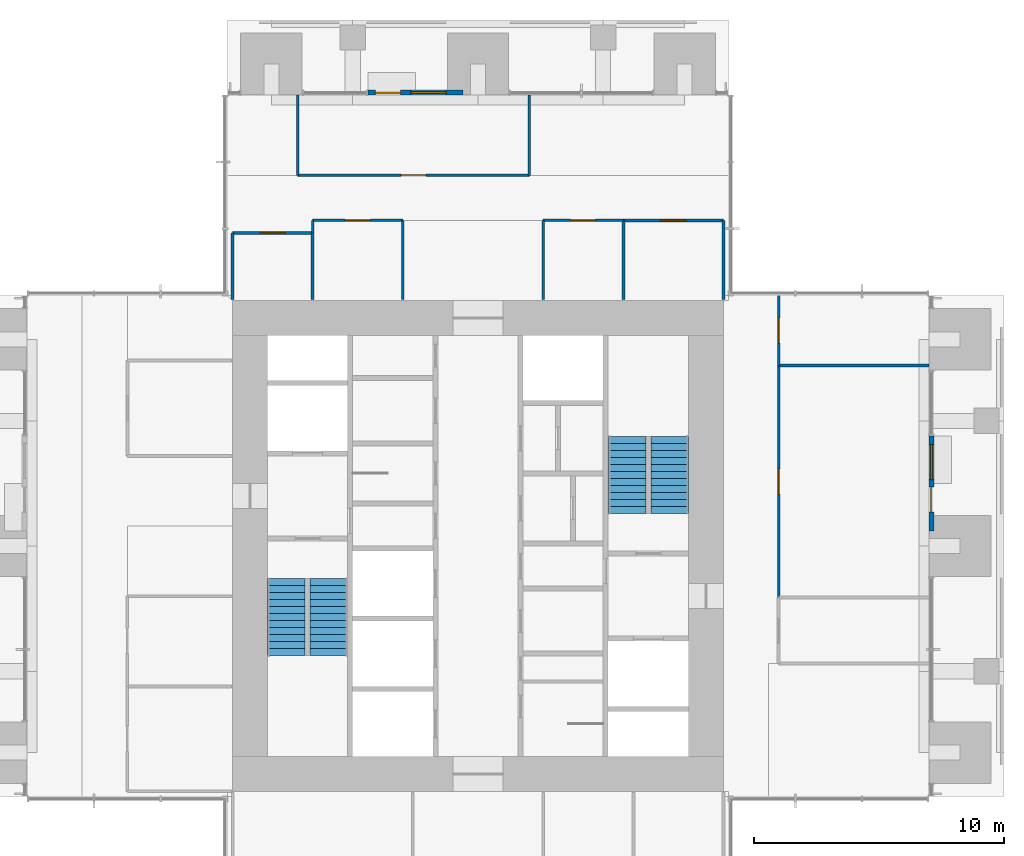
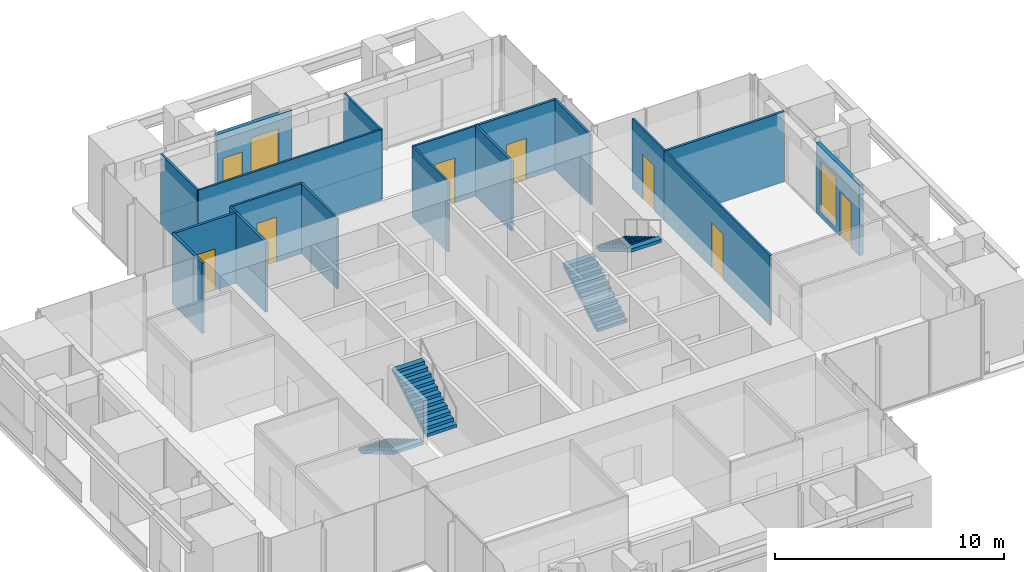
# One storey, part 14 of 17: 19 walls, 9 doors, 4 stair flights, 2 windows, 11 openings, 2 elements without a shape of their own.
"""IFC4 building model written with IfcOpenShell, lengths in metres."""

from ifc_helpers import new_model, si_unit, direction, frame, frame_2d, origin, place, context, subcontext, project, spatial, polyline, rectangle, outline, extrude, material, layer, layer_set, type_object, element, fill, aggregate, save


model = new_model("IFC4")

# Units and contexts
model_context = context("Model", 3, precision=1e-05, world=origin(), true_north=direction((0.0, 1.0)))
body_context = subcontext(model_context, "Body", "Model", "MODEL_VIEW")
ifc_project = project(units=[si_unit("LENGTHUNIT", "METRE"), si_unit("AREAUNIT", "SQUARE_METRE"), si_unit("VOLUMEUNIT", "CUBIC_METRE"), si_unit("PLANEANGLEUNIT", "RADIAN"), si_unit("MASSUNIT", "GRAM", prefix="KILO")], contexts=[model_context])

# Site, building, storey
site_placement = place(None, origin())
site = spatial("IfcSite", under=ifc_project, at=site_placement, CompositionType="ELEMENT")
building_placement = place(site_placement, origin())
building = spatial("IfcBuilding", under=site, at=building_placement, Name="Svetlomir Tower", CompositionType="ELEMENT")
storey_placement = place(building_placement, frame((0.0, 0.0, 182.5)))
storey = spatial("IfcBuildingStorey", under=building, at=storey_placement, Name="L43", CompositionType="ELEMENT", Elevation=182.5)

# Wall, openings, door, window
ifc_material_1 = material(Name="Bronze anodised aluminium glazed screen", Category="aluminium")
ifc_layer_1 = layer(ifc_material_1, 0.199951171875)
ifc_layer_set_1 = layer_set([ifc_layer_1], Name="Bronze anodised aluminium glazed screen")
wall_type_1 = type_object("IfcWallType", Name="BALCONY SCREEN WALL 200", PredefinedType="USERDEFINED", material=ifc_layer_set_1)
wall_1_placement = place(storey_placement, frame((39.10009765625, 21.60009765625, 0.0), z_axis=(0.0, 0.0, 1.0), x_axis=(0.0, 1.0, 0.0)))
wall_1 = element("IfcWall", 1, at=wall_1_placement, inside=storey, type_object=wall_type_1, Name="Balcony screen E", ObjectType="GLAZED SCREEN", PredefinedType="USERDEFINED", context=body_context, shape_type="SweptSolid", body=[
    extrude(rectangle(XDim=3.7998046875, YDim=0.199951171875, at=frame_2d((1.89990234375, 0.0))), origin(), (0.0, 0.0, 1.0), 3.75),
])
opening_1_placement = place(wall_1_placement, frame((0.75, 0.0, 0.0)))
opening_1 = element("IfcOpeningElement", 2, at=opening_1_placement, cuts=wall_1, Name="Opening BD", PredefinedType="OPENING", context=body_context, shape_type="SweptSolid", body=[
    extrude(rectangle(XDim=1.0, YDim=2.39990234375, at=frame_2d((0.5, 1.199951171875))), frame((0.0, 0.10986328125, 0.0), z_axis=(0.0, -1.0, 0.0), x_axis=(1.0, 0.0, 0.0)), (0.0, 0.0, 1.0), 0.219970703125),
])
opening_2_placement = place(wall_1_placement, frame((2.050048828125, 0.0, 0.300048828125)))
opening_2 = element("IfcOpeningElement", 3, at=opening_2_placement, cuts=wall_1, Name="Opening WS2", PredefinedType="OPENING", context=body_context, shape_type="SweptSolid", body=[
    extrude(rectangle(XDim=1.39990234375, YDim=2.699951171875, at=frame_2d((0.699951171875, 1.35009765625))), frame((0.0, 0.10986328125, 0.0), z_axis=(0.0, -1.0, 0.0), x_axis=(1.0, 0.0, 0.0)), (0.0, 0.0, 1.0), 0.219970703125),
])
ifc_material_2 = material(Name="Bronze anodised aluminium glazed door", Category="aluminium")
door_type_1 = type_object("IfcDoorType", Name="BALCONY DOOR BD 1000x2400", OperationType="SINGLE_SWING_LEFT", PredefinedType="DOOR", material=ifc_material_2)
door_1_placement = place(opening_1_placement, origin())
door_1 = element("IfcDoor", 4, at=door_1_placement, inside=storey, type_object=door_type_1, Name="Balcony screen E door", OperationType="SINGLE_SWING_LEFT", OverallHeight=2.39990234375, OverallWidth=1.0, PredefinedType="DOOR", context=body_context, shape_type="SweptSolid", body=[
    extrude(rectangle(XDim=1.0, YDim=2.39990234375, at=frame_2d((0.5, 1.199951171875))), frame((0.0, 0.02490234375, 0.0), z_axis=(0.0, -1.0, 0.0), x_axis=(1.0, 0.0, 0.0)), (0.0, 0.0, 1.0), 0.050048828125),
])
fill(opening_1, door_1)
ifc_material_3 = material(Name="Bronze anodised aluminium window", Category="aluminium")
window_type = type_object("IfcWindowType", Name="SCREEN WINDOW WS2 1400x2700", PartitioningType="SINGLE_PANEL", PredefinedType="WINDOW", material=ifc_material_3)
window_1_placement = place(opening_2_placement, origin())
window_1 = element("IfcWindow", 5, at=window_1_placement, inside=storey, type_object=window_type, Name="Balcony screen E window 1", OverallHeight=2.699951171875, OverallWidth=1.39990234375, PartitioningType="SINGLE_PANEL", PredefinedType="WINDOW", context=body_context, shape_type="SweptSolid", body=[
    extrude(rectangle(XDim=1.39990234375, YDim=2.699951171875, at=frame_2d((0.699951171875, 1.35009765625))), frame((0.0, 0.030029296875, 0.0), z_axis=(0.0, -1.0, 0.0), x_axis=(1.0, 0.0, 0.0)), (0.0, 0.0, 1.0), 0.06005859375),
])
fill(opening_2, window_1)

wall_2_placement = place(storey_placement, frame((20.39990234375, 39.10009765625, 0.0), z_axis=(0.0, 0.0, 1.0), x_axis=(-1.0, 0.0, 0.0)))
wall_2 = element("IfcWall", 6, at=wall_2_placement, inside=storey, type_object=wall_type_1, Name="Balcony screen N", ObjectType="GLAZED SCREEN", PredefinedType="USERDEFINED", context=body_context, shape_type="SweptSolid", body=[
    extrude(rectangle(XDim=3.7998046875, YDim=0.199951171875, at=frame_2d((1.89990234375, 0.0))), origin(), (0.0, 0.0, 1.0), 3.75),
])
opening_3_placement = place(wall_2_placement, frame((2.5, 0.0, 0.0)))
opening_3 = element("IfcOpeningElement", 7, at=opening_3_placement, cuts=wall_2, Name="Opening BD", PredefinedType="OPENING", context=body_context, shape_type="SweptSolid", body=[
    extrude(rectangle(XDim=1.0, YDim=2.39990234375, at=frame_2d((0.5, 1.199951171875))), frame((0.0, 0.10986328125, 0.0), z_axis=(0.0, -1.0, 0.0), x_axis=(1.0, 0.0, 0.0)), (0.0, 0.0, 1.0), 0.219970703125),
])
opening_4_placement = place(wall_2_placement, frame((0.675048828125, 0.0, 0.300048828125)))
opening_4 = element("IfcOpeningElement", 8, at=opening_4_placement, cuts=wall_2, Name="Opening WS2", PredefinedType="OPENING", context=body_context, shape_type="SweptSolid", body=[
    extrude(rectangle(XDim=1.39990234375, YDim=2.699951171875, at=frame_2d((0.699951171875, 1.35009765625))), frame((0.0, 0.10986328125, 0.0), z_axis=(0.0, -1.0, 0.0), x_axis=(1.0, 0.0, 0.0)), (0.0, 0.0, 1.0), 0.219970703125),
])
door_2_placement = place(opening_3_placement, origin())
door_2 = element("IfcDoor", 9, at=door_2_placement, inside=storey, type_object=door_type_1, Name="Balcony screen N door", OperationType="SINGLE_SWING_LEFT", OverallHeight=2.39990234375, OverallWidth=1.0, PredefinedType="DOOR", context=body_context, shape_type="SweptSolid", body=[
    extrude(rectangle(XDim=1.0, YDim=2.39990234375, at=frame_2d((0.5, 1.199951171875))), frame((0.0, 0.02490234375, 0.0), z_axis=(0.0, -1.0, 0.0), x_axis=(1.0, 0.0, 0.0)), (0.0, 0.0, 1.0), 0.050048828125),
])
fill(opening_3, door_2)
window_2_placement = place(opening_4_placement, origin())
window_2 = element("IfcWindow", 10, at=window_2_placement, inside=storey, type_object=window_type, Name="Balcony screen N window 1", OverallHeight=2.699951171875, OverallWidth=1.39990234375, PartitioningType="SINGLE_PANEL", PredefinedType="WINDOW", context=body_context, shape_type="SweptSolid", body=[
    extrude(rectangle(XDim=1.39990234375, YDim=2.699951171875, at=frame_2d((0.699951171875, 1.35009765625))), frame((0.0, 0.030029296875, 0.0), z_axis=(0.0, -1.0, 0.0), x_axis=(1.0, 0.0, 0.0)), (0.0, 0.0, 1.0), 0.06005859375),
])
fill(opening_4, window_2)

# Wall
ifc_material_4 = material(Name="Framed laminated glass partition", Category="glass")
ifc_layer_2 = layer(ifc_material_4, 0.10009765625)
ifc_layer_set_2 = layer_set([ifc_layer_2], Name="Framed laminated glass partition")
wall_type_2 = type_object("IfcWallType", Name="GLAZED PARTITION 100", PredefinedType="PARTITIONING", material=ifc_layer_set_2)
wall_3_placement = place(storey_placement, frame((13.800048828125, 35.800048828125, 0.0), z_axis=(0.0, 0.0, 1.0), x_axis=(0.0, 1.0, 0.0)))
element("IfcWall", 11, at=wall_3_placement, inside=storey, type_object=wall_type_2, Name="Glazed partition L43", PredefinedType="PARTITIONING", context=body_context, shape_type="SweptSolid", body=[
    extrude(rectangle(XDim=3.199951171875, YDim=0.10009765625, at=frame_2d((1.60009765625, 0.0))), origin(), (0.0, 0.0, 1.0), 3.75),
])

# Wall, opening, door
wall_4_placement = place(storey_placement, frame((13.800048828125, 35.800048828125, 0.0), z_axis=(0.0, 0.0, 1.0), x_axis=(1.0, 0.0, 0.0)))
wall_4 = element("IfcWall", 12, at=wall_4_placement, inside=storey, type_object=wall_type_2, Name="Glazed partition L43", PredefinedType="PARTITIONING", context=body_context, shape_type="SweptSolid", body=[
    extrude(rectangle(XDim=9.25, YDim=0.10009765625, at=frame_2d((4.625, 0.0))), origin(), (0.0, 0.0, 1.0), 3.75),
])
opening_5_placement = place(wall_4_placement, frame((4.125, 0.0, 0.0)))
opening_5 = element("IfcOpeningElement", 13, at=opening_5_placement, cuts=wall_4, Name="Opening DG", PredefinedType="OPENING", context=body_context, shape_type="SweptSolid", body=[
    extrude(rectangle(XDim=1.0, YDim=2.39990234375, at=frame_2d((0.5, 1.199951171875))), frame((0.0, 0.06005859375, 0.0), z_axis=(0.0, -1.0, 0.0), x_axis=(1.0, 0.0, 0.0)), (0.0, 0.0, 1.0), 0.1201171875),
])
ifc_material_5 = material(Name="Framed laminated glass door", Category="glass")
door_type_2 = type_object("IfcDoorType", Name="GLAZED DOOR DG 1000x2400", OperationType="SINGLE_SWING_LEFT", PredefinedType="DOOR", material=ifc_material_5)
door_3_placement = place(opening_5_placement, origin())
door_3 = element("IfcDoor", 14, at=door_3_placement, inside=storey, type_object=door_type_2, Name="Loggia break-out and kitchenette door L43", OperationType="SINGLE_SWING_LEFT", OverallHeight=2.39990234375, OverallWidth=1.0, PredefinedType="DOOR", context=body_context, shape_type="SweptSolid", body=[
    extrude(rectangle(XDim=1.0, YDim=2.39990234375, at=frame_2d((0.5, 1.199951171875))), frame((0.0, 0.02490234375, 0.0), z_axis=(0.0, -1.0, 0.0), x_axis=(1.0, 0.0, 0.0)), (0.0, 0.0, 1.0), 0.050048828125),
])
fill(opening_5, door_3)

# Wall
wall_5_placement = place(storey_placement, frame((14.39990234375, 33.5, 0.0), z_axis=(0.0, 0.0, 1.0), x_axis=(0.0, 1.0, 0.0)))
element("IfcWall", 15, at=wall_5_placement, inside=storey, type_object=wall_type_2, Name="Glazed partition L43", PredefinedType="PARTITIONING", context=body_context, shape_type="SweptSolid", body=[
    extrude(rectangle(XDim=0.5, YDim=0.10009765625, at=frame_2d((0.25, 0.0))), origin(), (0.0, 0.0, 1.0), 3.75),
])

# Wall, opening, door
wall_6_placement = place(storey_placement, frame((14.39990234375, 34.0, 0.0), z_axis=(0.0, 0.0, 1.0), x_axis=(1.0, 0.0, 0.0)))
wall_6 = element("IfcWall", 16, at=wall_6_placement, inside=storey, type_object=wall_type_2, Name="Glazed partition L43", PredefinedType="PARTITIONING", context=body_context, shape_type="SweptSolid", body=[
    extrude(rectangle(XDim=3.60009765625, YDim=0.10009765625, at=frame_2d((1.800048828125, 0.0))), origin(), (0.0, 0.0, 1.0), 3.75),
])
opening_6_placement = place(wall_6_placement, frame((1.300048828125, 0.0, 0.0)))
opening_6 = element("IfcOpeningElement", 17, at=opening_6_placement, cuts=wall_6, Name="Opening DG", PredefinedType="OPENING", context=body_context, shape_type="SweptSolid", body=[
    extrude(rectangle(XDim=1.0, YDim=2.39990234375, at=frame_2d((0.5, 1.199951171875))), frame((0.0, 0.06005859375, 0.0), z_axis=(0.0, -1.0, 0.0), x_axis=(1.0, 0.0, 0.0)), (0.0, 0.0, 1.0), 0.1201171875),
])
door_4_placement = place(opening_6_placement, origin())
door_4 = element("IfcDoor", 18, at=door_4_placement, inside=storey, type_object=door_type_2, Name="Meeting room, 6 seats door L43", OperationType="SINGLE_SWING_RIGHT", OverallHeight=2.39990234375, OverallWidth=1.0, PredefinedType="DOOR", context=body_context, shape_type="SweptSolid", body=[
    extrude(rectangle(XDim=1.0, YDim=2.39990234375, at=frame_2d((0.5, 1.199951171875))), frame((0.0, 0.02490234375, 0.0), z_axis=(0.0, -1.0, 0.0), x_axis=(1.0, 0.0, 0.0)), (0.0, 0.0, 1.0), 0.050048828125),
])
fill(opening_6, door_4)

# Walls
wall_7_placement = place(storey_placement, frame((18.0, 30.85009765625, 0.0), z_axis=(0.0, 0.0, 1.0), x_axis=(0.0, 1.0, 0.0)))
element("IfcWall", 19, at=wall_7_placement, inside=storey, type_object=wall_type_2, Name="Glazed partition L43", PredefinedType="PARTITIONING", context=body_context, shape_type="SweptSolid", body=[
    extrude(rectangle(XDim=3.14990234375, YDim=0.10009765625, at=frame_2d((1.574951171875, 0.0))), origin(), (0.0, 0.0, 1.0), 3.75),
])
wall_8_placement = place(storey_placement, frame((23.050048828125, 35.800048828125, 0.0), z_axis=(0.0, 0.0, 1.0), x_axis=(0.0, 1.0, 0.0)))
element("IfcWall", 20, at=wall_8_placement, inside=storey, type_object=wall_type_2, Name="Glazed partition L43", PredefinedType="PARTITIONING", context=body_context, shape_type="SweptSolid", body=[
    extrude(rectangle(XDim=3.199951171875, YDim=0.10009765625, at=frame_2d((1.60009765625, 0.0))), origin(), (0.0, 0.0, 1.0), 3.75),
])
wall_9_placement = place(storey_placement, frame((23.60009765625, 30.85009765625, 0.0), z_axis=(0.0, 0.0, 1.0), x_axis=(0.0, 1.0, 0.0)))
element("IfcWall", 21, at=wall_9_placement, inside=storey, type_object=wall_type_2, Name="Glazed partition L43", PredefinedType="PARTITIONING", context=body_context, shape_type="SweptSolid", body=[
    extrude(rectangle(XDim=3.14990234375, YDim=0.10009765625, at=frame_2d((1.574951171875, 0.0))), origin(), (0.0, 0.0, 1.0), 3.75),
])

# Wall, opening, door
wall_10_placement = place(storey_placement, frame((23.60009765625, 34.0, 0.0), z_axis=(0.0, 0.0, 1.0), x_axis=(1.0, 0.0, 0.0)))
wall_10 = element("IfcWall", 22, at=wall_10_placement, inside=storey, type_object=wall_type_2, Name="Glazed partition L43", PredefinedType="PARTITIONING", context=body_context, shape_type="SweptSolid", body=[
    extrude(rectangle(XDim=3.199951171875, YDim=0.10009765625, at=frame_2d((1.60009765625, 0.0))), origin(), (0.0, 0.0, 1.0), 3.75),
])
opening_7_placement = place(wall_10_placement, frame((1.10009765625, 0.0, 0.0)))
opening_7 = element("IfcOpeningElement", 23, at=opening_7_placement, cuts=wall_10, Name="Opening DG", PredefinedType="OPENING", context=body_context, shape_type="SweptSolid", body=[
    extrude(rectangle(XDim=1.0, YDim=2.39990234375, at=frame_2d((0.5, 1.199951171875))), frame((0.0, 0.06005859375, 0.0), z_axis=(0.0, -1.0, 0.0), x_axis=(1.0, 0.0, 0.0)), (0.0, 0.0, 1.0), 0.1201171875),
])
door_5_placement = place(opening_7_placement, origin())
door_5 = element("IfcDoor", 24, at=door_5_placement, inside=storey, type_object=door_type_2, Name="Phone room door L43", OperationType="SINGLE_SWING_LEFT", OverallHeight=2.39990234375, OverallWidth=1.0, PredefinedType="DOOR", context=body_context, shape_type="SweptSolid", body=[
    extrude(rectangle(XDim=1.0, YDim=2.39990234375, at=frame_2d((0.5, 1.199951171875))), frame((0.0, 0.02490234375, 0.0), z_axis=(0.0, -1.0, 0.0), x_axis=(1.0, 0.0, 0.0)), (0.0, 0.0, 1.0), 0.050048828125),
])
fill(opening_7, door_5)

wall_11_placement = place(storey_placement, frame((33.0, 18.949951171875, 0.0), z_axis=(0.0, 0.0, 1.0), x_axis=(0.0, 1.0, 0.0)))
wall_11 = element("IfcWall", 25, at=wall_11_placement, inside=storey, type_object=wall_type_2, Name="Glazed partition L43", PredefinedType="PARTITIONING", context=body_context, shape_type="SweptSolid", body=[
    extrude(rectangle(XDim=9.25, YDim=0.10009765625, at=frame_2d((4.625, 0.0))), origin(), (0.0, 0.0, 1.0), 3.75),
])
opening_8_placement = place(wall_11_placement, frame((4.125, 0.0, 0.0)))
opening_8 = element("IfcOpeningElement", 26, at=opening_8_placement, cuts=wall_11, Name="Opening DG", PredefinedType="OPENING", context=body_context, shape_type="SweptSolid", body=[
    extrude(rectangle(XDim=1.0, YDim=2.39990234375, at=frame_2d((0.5, 1.199951171875))), frame((0.0, 0.06005859375, 0.0), z_axis=(0.0, -1.0, 0.0), x_axis=(1.0, 0.0, 0.0)), (0.0, 0.0, 1.0), 0.1201171875),
])
door_6_placement = place(opening_8_placement, origin())
door_6 = element("IfcDoor", 27, at=door_6_placement, inside=storey, type_object=door_type_2, Name="ESG team hub door L43", OperationType="SINGLE_SWING_LEFT", OverallHeight=2.39990234375, OverallWidth=1.0, PredefinedType="DOOR", context=body_context, shape_type="SweptSolid", body=[
    extrude(rectangle(XDim=1.0, YDim=2.39990234375, at=frame_2d((0.5, 1.199951171875))), frame((0.0, 0.02490234375, 0.0), z_axis=(0.0, -1.0, 0.0), x_axis=(1.0, 0.0, 0.0)), (0.0, 0.0, 1.0), 0.050048828125),
])
fill(opening_8, door_6)

wall_12_placement = place(storey_placement, frame((33.0, 28.199951171875, 0.0), z_axis=(0.0, 0.0, 1.0), x_axis=(0.0, 1.0, 0.0)))
wall_12 = element("IfcWall", 28, at=wall_12_placement, inside=storey, type_object=wall_type_2, Name="Glazed partition L43", PredefinedType="PARTITIONING", context=body_context, shape_type="SweptSolid", body=[
    extrude(rectangle(XDim=2.800048828125, YDim=0.10009765625, at=frame_2d((1.39990234375, 0.0))), origin(), (0.0, 0.0, 1.0), 3.75),
])
opening_9_placement = place(wall_12_placement, frame((0.89990234375, 0.0, 0.0)))
opening_9 = element("IfcOpeningElement", 29, at=opening_9_placement, cuts=wall_12, Name="Opening DG", PredefinedType="OPENING", context=body_context, shape_type="SweptSolid", body=[
    extrude(rectangle(XDim=1.0, YDim=2.39990234375, at=frame_2d((0.5, 1.199951171875))), frame((0.0, 0.06005859375, 0.0), z_axis=(0.0, -1.0, 0.0), x_axis=(1.0, 0.0, 0.0)), (0.0, 0.0, 1.0), 0.1201171875),
])
door_7_placement = place(opening_9_placement, origin())
door_7 = element("IfcDoor", 30, at=door_7_placement, inside=storey, type_object=door_type_2, Name="Meeting room, 8 seats door L43", OperationType="SINGLE_SWING_LEFT", OverallHeight=2.39990234375, OverallWidth=1.0, PredefinedType="DOOR", context=body_context, shape_type="SweptSolid", body=[
    extrude(rectangle(XDim=1.0, YDim=2.39990234375, at=frame_2d((0.5, 1.199951171875))), frame((0.0, 0.02490234375, 0.0), z_axis=(0.0, -1.0, 0.0), x_axis=(1.0, 0.0, 0.0)), (0.0, 0.0, 1.0), 0.050048828125),
])
fill(opening_9, door_7)

# Wall
ifc_material_6 = material(Name="Gypsum board on steel studs", Category="steel")
ifc_layer_3 = layer(ifc_material_6, 0.1201171875)
ifc_layer_set_3 = layer_set([ifc_layer_3], Name="Gypsum board on steel studs")
wall_type_3 = type_object("IfcWallType", Name="PARTITION 120", PredefinedType="PARTITIONING", material=ifc_layer_set_3)
wall_13_placement = place(storey_placement, frame((11.199951171875, 30.85009765625, 0.0), z_axis=(0.0, 0.0, 1.0), x_axis=(0.0, 1.0, 0.0)))
element("IfcWall", 31, at=wall_13_placement, inside=storey, type_object=wall_type_3, Name="Partition L43", PredefinedType="PARTITIONING", context=body_context, shape_type="SweptSolid", body=[
    extrude(rectangle(XDim=2.64990234375, YDim=0.1201171875, at=frame_2d((1.324951171875, 0.0))), origin(), (0.0, 0.0, 1.0), 3.75),
])

# Wall, opening, door
wall_14_placement = place(storey_placement, frame((11.199951171875, 33.5, 0.0), z_axis=(0.0, 0.0, 1.0), x_axis=(1.0, 0.0, 0.0)))
wall_14 = element("IfcWall", 32, at=wall_14_placement, inside=storey, type_object=wall_type_3, Name="Partition L43", PredefinedType="PARTITIONING", context=body_context, shape_type="SweptSolid", body=[
    extrude(rectangle(XDim=3.199951171875, YDim=0.1201171875, at=frame_2d((1.60009765625, 0.0))), origin(), (0.0, 0.0, 1.0), 3.75),
])
opening_10_placement = place(wall_14_placement, frame((1.10009765625, 0.0, 0.0)))
opening_10 = element("IfcOpeningElement", 33, at=opening_10_placement, cuts=wall_14, Name="Opening DR", PredefinedType="OPENING", context=body_context, shape_type="SweptSolid", body=[
    extrude(rectangle(XDim=1.0, YDim=2.199951171875, at=frame_2d((0.5, 1.10009765625))), frame((0.0, 0.070068359375, 0.0), z_axis=(0.0, -1.0, 0.0), x_axis=(1.0, 0.0, 0.0)), (0.0, 0.0, 1.0), 0.14013671875),
])
ifc_material_7 = material(Name="Timber door, glazed side light", Category="wood")
door_type_3 = type_object("IfcDoorType", Name="DOOR DR 1000x2200", OperationType="SINGLE_SWING_LEFT", PredefinedType="DOOR", material=ifc_material_7)
door_8_placement = place(opening_10_placement, origin())
door_8 = element("IfcDoor", 34, at=door_8_placement, inside=storey, type_object=door_type_3, Name="Planting lab store door L43", OperationType="SINGLE_SWING_LEFT", OverallHeight=2.199951171875, OverallWidth=1.0, PredefinedType="DOOR", context=body_context, shape_type="SweptSolid", body=[
    extrude(rectangle(XDim=1.0, YDim=2.199951171875, at=frame_2d((0.5, 1.10009765625))), frame((0.0, 0.02490234375, 0.0), z_axis=(0.0, -1.0, 0.0), x_axis=(1.0, 0.0, 0.0)), (0.0, 0.0, 1.0), 0.050048828125),
])
fill(opening_10, door_8)

# Walls
wall_15_placement = place(storey_placement, frame((14.39990234375, 30.85009765625, 0.0), z_axis=(0.0, 0.0, 1.0), x_axis=(0.0, 1.0, 0.0)))
element("IfcWall", 35, at=wall_15_placement, inside=storey, type_object=wall_type_3, Name="Partition L43", PredefinedType="PARTITIONING", context=body_context, shape_type="SweptSolid", body=[
    extrude(rectangle(XDim=2.64990234375, YDim=0.1201171875, at=frame_2d((1.324951171875, 0.0))), origin(), (0.0, 0.0, 1.0), 3.75),
])
wall_16_placement = place(storey_placement, frame((26.800048828125, 30.85009765625, 0.0), z_axis=(0.0, 0.0, 1.0), x_axis=(0.0, 1.0, 0.0)))
element("IfcWall", 36, at=wall_16_placement, inside=storey, type_object=wall_type_3, Name="Partition L43", PredefinedType="PARTITIONING", context=body_context, shape_type="SweptSolid", body=[
    extrude(rectangle(XDim=3.14990234375, YDim=0.1201171875, at=frame_2d((1.574951171875, 0.0))), origin(), (0.0, 0.0, 1.0), 3.75),
])

# Wall, opening, door
wall_17_placement = place(storey_placement, frame((26.800048828125, 34.0, 0.0), z_axis=(0.0, 0.0, 1.0), x_axis=(1.0, 0.0, 0.0)))
wall_17 = element("IfcWall", 37, at=wall_17_placement, inside=storey, type_object=wall_type_3, Name="Partition L43", PredefinedType="PARTITIONING", context=body_context, shape_type="SweptSolid", body=[
    extrude(rectangle(XDim=4.0, YDim=0.1201171875, at=frame_2d((2.0, 0.0))), origin(), (0.0, 0.0, 1.0), 3.75),
])
opening_11_placement = place(wall_17_placement, frame((1.5, 0.0, 0.0)))
opening_11 = element("IfcOpeningElement", 38, at=opening_11_placement, cuts=wall_17, Name="Opening DR", PredefinedType="OPENING", context=body_context, shape_type="SweptSolid", body=[
    extrude(rectangle(XDim=1.0, YDim=2.199951171875, at=frame_2d((0.5, 1.10009765625))), frame((0.0, 0.070068359375, 0.0), z_axis=(0.0, -1.0, 0.0), x_axis=(1.0, 0.0, 0.0)), (0.0, 0.0, 1.0), 0.14013671875),
])
door_9_placement = place(opening_11_placement, origin())
door_9 = element("IfcDoor", 39, at=door_9_placement, inside=storey, type_object=door_type_3, Name="Team leader office door L43", OperationType="SINGLE_SWING_RIGHT", OverallHeight=2.199951171875, OverallWidth=1.0, PredefinedType="DOOR", context=body_context, shape_type="SweptSolid", body=[
    extrude(rectangle(XDim=1.0, YDim=2.199951171875, at=frame_2d((0.5, 1.10009765625))), frame((0.0, 0.02490234375, 0.0), z_axis=(0.0, -1.0, 0.0), x_axis=(1.0, 0.0, 0.0)), (0.0, 0.0, 1.0), 0.050048828125),
])
fill(opening_11, door_9)

# Walls
wall_18_placement = place(storey_placement, frame((30.800048828125, 30.85009765625, 0.0), z_axis=(0.0, 0.0, 1.0), x_axis=(0.0, 1.0, 0.0)))
element("IfcWall", 40, at=wall_18_placement, inside=storey, type_object=wall_type_3, Name="Partition L43", PredefinedType="PARTITIONING", context=body_context, shape_type="SweptSolid", body=[
    extrude(rectangle(XDim=3.14990234375, YDim=0.1201171875, at=frame_2d((1.574951171875, 0.0))), origin(), (0.0, 0.0, 1.0), 3.75),
])
wall_19_placement = place(storey_placement, frame((33.0, 28.199951171875, 0.0), z_axis=(0.0, 0.0, 1.0), x_axis=(1.0, 0.0, 0.0)))
element("IfcWall", 41, at=wall_19_placement, inside=storey, type_object=wall_type_3, Name="Partition L43", PredefinedType="PARTITIONING", context=body_context, shape_type="SweptSolid", body=[
    extrude(rectangle(XDim=6.0, YDim=0.1201171875, at=frame_2d((3.0, 0.0))), origin(), (0.0, 0.0, 1.0), 3.75),
])

# Stair, stair flights
ifc_material_8 = material(Name="Concrete C60/75", Category="concrete")
stair_type = type_object("IfcStairType", Name="EXIT STAIR 3200 RISE 4000", PredefinedType="HALF_TURN_STAIR", material=ifc_material_8)
stair_1_placement = place(storey_placement, origin())
stair_1 = element("IfcStair", 42, at=stair_1_placement, inside=storey, type_object=stair_type, Name="Stair S1 L43 to L44", PredefinedType="HALF_TURN_STAIR")
ifc_material_9 = material(Name="Concrete C60/75", Category="concrete")
stair_flight_type = type_object("IfcStairFlightType", Name="STAIR FLIGHT 1500 OF 12 RISERS", PredefinedType="STRAIGHT", material=ifc_material_9)
stair_flight_1_placement = place(storey_placement, frame((13.35009765625, 19.699951171875, 0.0), z_axis=(0.0, 0.0, 1.0), x_axis=(0.0, -1.0, 0.0)))
stair_flight_1 = element("IfcStairFlight", 43, at=stair_flight_1_placement, type_object=stair_flight_type, Name="S1 flight 1", NumberOfRisers=12, NumberOfTreads=11, PredefinedType="STRAIGHT", RiserHeight=0.166666667, TreadLength=0.28, context=body_context, shape_type="SweptSolid", body=[
    extrude(outline(polyline([(0.0, 0.0), (0.0, 0.166748046875), (0.280029296875, 0.166748046875), (0.280029296875, 0.333251953125), (0.56005859375, 0.333251953125), (0.56005859375, 0.5), (0.840087890625, 0.5), (0.840087890625, 0.666748046875), (1.1201171875, 0.666748046875), (1.1201171875, 0.833251953125), (1.39990234375, 0.833251953125), (1.39990234375, 1.0), (1.679931640625, 1.0), (1.679931640625, 1.166748046875), (1.9599609375, 1.166748046875), (1.9599609375, 1.333251953125), (2.239990234375, 1.333251953125), (2.239990234375, 1.5), (2.52001953125, 1.5), (2.52001953125, 1.666748046875), (2.800048828125, 1.666748046875), (2.800048828125, 1.833251953125), (3.080078125, 1.833251953125), (3.080078125, 2.0), (3.080078125, 1.658935546875), (0.29296875, 0.0), (0.0, 0.0)])), frame((0.0, 0.75, 0.0), z_axis=(0.0, -1.0, 0.0), x_axis=(1.0, 0.0, 0.0)), (0.0, 0.0, 1.0), 1.5),
])
stair_flight_2_placement = place(storey_placement, frame((15.050048828125, 16.6201171875, 2.0), z_axis=(0.0, 0.0, 1.0), x_axis=(0.0, 1.0, 0.0)))
stair_flight_2 = element("IfcStairFlight", 44, at=stair_flight_2_placement, type_object=stair_flight_type, Name="S1 flight 2", NumberOfRisers=12, NumberOfTreads=11, PredefinedType="STRAIGHT", RiserHeight=0.166666667, TreadLength=0.28, context=body_context, shape_type="SweptSolid", body=[
    extrude(outline(polyline([(0.0, 0.0), (0.0, 0.166748046875), (0.280029296875, 0.166748046875), (0.280029296875, 0.333251953125), (0.56005859375, 0.333251953125), (0.56005859375, 0.5), (0.840087890625, 0.5), (0.840087890625, 0.666748046875), (1.1201171875, 0.666748046875), (1.1201171875, 0.833251953125), (1.39990234375, 0.833251953125), (1.39990234375, 1.0), (1.679931640625, 1.0), (1.679931640625, 1.166748046875), (1.9599609375, 1.166748046875), (1.9599609375, 1.333251953125), (2.239990234375, 1.333251953125), (2.239990234375, 1.5), (2.52001953125, 1.5), (2.52001953125, 1.666748046875), (2.800048828125, 1.666748046875), (2.800048828125, 1.833251953125), (3.080078125, 1.833251953125), (3.080078125, 2.0), (3.080078125, 1.658935546875), (0.29296875, 0.0), (0.0, 0.0)])), frame((0.0, 0.75, 0.0), z_axis=(0.0, -1.0, 0.0), x_axis=(1.0, 0.0, 0.0)), (0.0, 0.0, 1.0), 1.5),
])
aggregate(stair_1, [stair_flight_1, stair_flight_2])

stair_2_placement = place(storey_placement, origin())
stair_2 = element("IfcStair", 45, at=stair_2_placement, inside=storey, type_object=stair_type, Name="Stair S2 L43 to L44", PredefinedType="HALF_TURN_STAIR")
stair_flight_3_placement = place(storey_placement, frame((26.949951171875, 22.300048828125, 0.0), z_axis=(0.0, 0.0, 1.0), x_axis=(0.0, 1.0, 0.0)))
stair_flight_3 = element("IfcStairFlight", 46, at=stair_flight_3_placement, type_object=stair_flight_type, Name="S2 flight 1", NumberOfRisers=12, NumberOfTreads=11, PredefinedType="STRAIGHT", RiserHeight=0.166666667, TreadLength=0.28, context=body_context, shape_type="SweptSolid", body=[
    extrude(outline(polyline([(0.0, 0.0), (0.0, 0.166748046875), (0.280029296875, 0.166748046875), (0.280029296875, 0.333251953125), (0.56005859375, 0.333251953125), (0.56005859375, 0.5), (0.840087890625, 0.5), (0.840087890625, 0.666748046875), (1.1201171875, 0.666748046875), (1.1201171875, 0.833251953125), (1.39990234375, 0.833251953125), (1.39990234375, 1.0), (1.679931640625, 1.0), (1.679931640625, 1.166748046875), (1.9599609375, 1.166748046875), (1.9599609375, 1.333251953125), (2.239990234375, 1.333251953125), (2.239990234375, 1.5), (2.52001953125, 1.5), (2.52001953125, 1.666748046875), (2.800048828125, 1.666748046875), (2.800048828125, 1.833251953125), (3.080078125, 1.833251953125), (3.080078125, 2.0), (3.080078125, 1.658935546875), (0.29296875, 0.0), (0.0, 0.0)])), frame((0.0, 0.75, 0.0), z_axis=(0.0, -1.0, 0.0), x_axis=(1.0, 0.0, 0.0)), (0.0, 0.0, 1.0), 1.5),
])
stair_flight_4_placement = place(storey_placement, frame((28.64990234375, 25.3798828125, 2.0), z_axis=(0.0, 0.0, 1.0), x_axis=(0.0, -1.0, 0.0)))
stair_flight_4 = element("IfcStairFlight", 47, at=stair_flight_4_placement, type_object=stair_flight_type, Name="S2 flight 2", NumberOfRisers=12, NumberOfTreads=11, PredefinedType="STRAIGHT", RiserHeight=0.166666667, TreadLength=0.28, context=body_context, shape_type="SweptSolid", body=[
    extrude(outline(polyline([(0.0, 0.0), (0.0, 0.166748046875), (0.280029296875, 0.166748046875), (0.280029296875, 0.333251953125), (0.56005859375, 0.333251953125), (0.56005859375, 0.5), (0.840087890625, 0.5), (0.840087890625, 0.666748046875), (1.1201171875, 0.666748046875), (1.1201171875, 0.833251953125), (1.39990234375, 0.833251953125), (1.39990234375, 1.0), (1.679931640625, 1.0), (1.679931640625, 1.166748046875), (1.9599609375, 1.166748046875), (1.9599609375, 1.333251953125), (2.239990234375, 1.333251953125), (2.239990234375, 1.5), (2.52001953125, 1.5), (2.52001953125, 1.666748046875), (2.800048828125, 1.666748046875), (2.800048828125, 1.833251953125), (3.080078125, 1.833251953125), (3.080078125, 2.0), (3.080078125, 1.658935546875), (0.29296875, 0.0), (0.0, 0.0)])), frame((0.0, 0.75, 0.0), z_axis=(0.0, -1.0, 0.0), x_axis=(1.0, 0.0, 0.0)), (0.0, 0.0, 1.0), 1.5),
])
aggregate(stair_2, [stair_flight_3, stair_flight_4])

save(model, "model.ifc")
